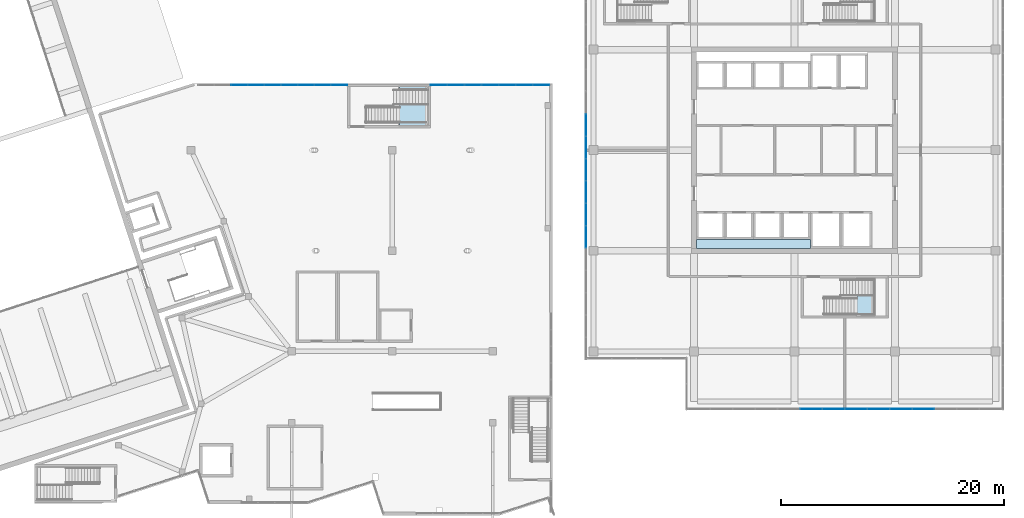
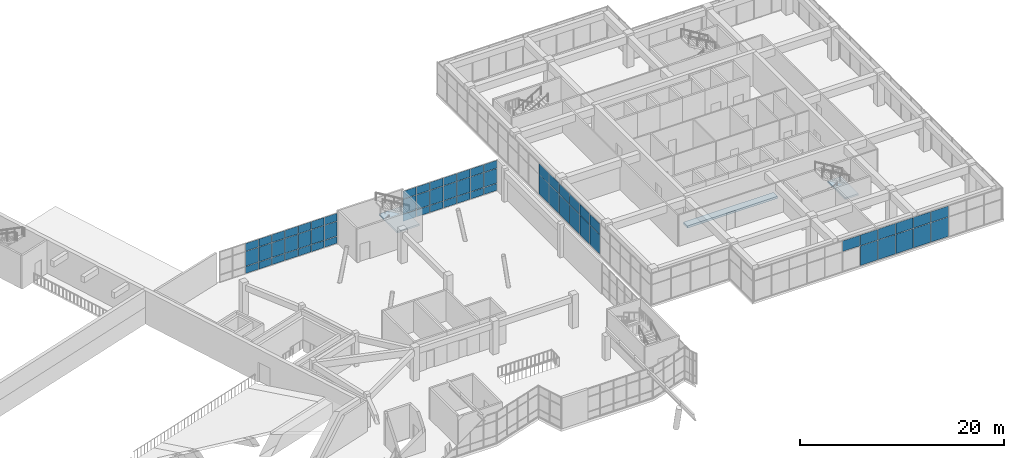
# One storey, part 50 of 65: 65 plates, 3 slabs, 6 elements without a shape of their own.
"""IFC4 building model written with IfcOpenShell, lengths in metres."""

from ifc_helpers import new_model, si_unit, direction, frame, origin, origin_2d, place, context, subcontext, project, spatial, polyline, rectangle, outline, extrude, material, layer, layer_set, type_object, element, aggregate, save


model = new_model("IFC4")

# Units and contexts
model_context = context("Model", 3, precision=1e-05, world=origin(), true_north=direction((0.0, 1.0)))
body_context = subcontext(model_context, "Body", "Model", "MODEL_VIEW")
ifc_project = project(units=[si_unit("LENGTHUNIT", "METRE"), si_unit("AREAUNIT", "SQUARE_METRE"), si_unit("VOLUMEUNIT", "CUBIC_METRE"), si_unit("PLANEANGLEUNIT", "RADIAN"), si_unit("MASSUNIT", "GRAM", prefix="KILO")], contexts=[model_context])

# Site, building, storey
site_placement = place(None, origin())
site = spatial("IfcSite", under=ifc_project, at=site_placement, CompositionType="ELEMENT")
building_placement = place(site_placement, origin())
building = spatial("IfcBuilding", under=site, at=building_placement, Name="Tuart Plaza Theatre", CompositionType="ELEMENT")
storey_placement = place(building_placement, frame((0.0, 0.0, 9.5)))
storey = spatial("IfcBuildingStorey", under=building, at=storey_placement, Name="L02", CompositionType="ELEMENT", Elevation=9.5)

# Curtain wall, plates
ifc_material_1 = material(Name="Aluminium and glass", Category="aluminium")
ifc_layer_1 = layer(ifc_material_1, 0.10009765625)
ifc_layer_set_1 = layer_set([ifc_layer_1], Name="CURTAIN WALL 1500 module")
curtain_wall_type_1 = type_object("IfcCurtainWallType", Name="CURTAIN WALL 1500 module", PredefinedType="NOTDEFINED", material=ifc_layer_set_1)
curtain_wall_1_placement = place(storey_placement, origin())
curtain_wall_1 = element("IfcCurtainWall", 1, at=curtain_wall_1_placement, inside=storey, type_object=curtain_wall_type_1, Name="CW35", PredefinedType="NOTDEFINED")
ifc_material_2 = material(Name="Glass", Category="glass")
ifc_layer_2 = layer(ifc_material_2, 0.028076171875)
ifc_layer_set_2 = layer_set([ifc_layer_2], Name="CURTAIN PANEL double glazed 28")
plate_type = type_object("IfcPlateType", Name="CURTAIN PANEL double glazed 28", PredefinedType="CURTAIN_PANEL", material=ifc_layer_set_2)
plate_1_placement = place(storey_placement, frame((82.31787109375, 79.8369140625, 0.0498046875), z_axis=(0.0, 0.0, 1.0), x_axis=(1.0, 0.0, 0.0)))
plate_1 = element("IfcPlate", 2, at=plate_1_placement, type_object=plate_type, Name="CW35 panel 3.1", PredefinedType="CURTAIN_PANEL", context=body_context, shape_type="SweptSolid", body=[
    extrude(rectangle(XDim=1.439453125, YDim=0.028076171875, at=origin_2d()), origin(), (0.0, 0.0, 1.0), 0.824951171875),
])
plate_2_placement = place(storey_placement, frame((82.31787109375, 79.8369140625, 0.925048828125), z_axis=(0.0, 0.0, 1.0), x_axis=(1.0, 0.0, 0.0)))
plate_2 = element("IfcPlate", 3, at=plate_2_placement, type_object=plate_type, Name="CW35 panel 3.2", PredefinedType="CURTAIN_PANEL", context=body_context, shape_type="SweptSolid", body=[
    extrude(rectangle(XDim=1.439453125, YDim=0.028076171875, at=origin_2d()), origin(), (0.0, 0.0, 1.0), 1.75),
])
plate_3_placement = place(storey_placement, frame((82.31787109375, 79.8369140625, 2.72509765625), z_axis=(0.0, 0.0, 1.0), x_axis=(1.0, 0.0, 0.0)))
plate_3 = element("IfcPlate", 4, at=plate_3_placement, type_object=plate_type, Name="CW35 panel 3.3", PredefinedType="CURTAIN_PANEL", context=body_context, shape_type="SweptSolid", body=[
    extrude(rectangle(XDim=1.439453125, YDim=0.028076171875, at=origin_2d()), origin(), (0.0, 0.0, 1.0), 0.925048828125),
])
plate_4_placement = place(storey_placement, frame((83.807373046875, 79.8369140625, 0.0498046875), z_axis=(0.0, 0.0, 1.0), x_axis=(1.0, 0.0, 0.0)))
plate_4 = element("IfcPlate", 5, at=plate_4_placement, type_object=plate_type, Name="CW35 panel 4.1", PredefinedType="CURTAIN_PANEL", context=body_context, shape_type="SweptSolid", body=[
    extrude(rectangle(XDim=1.439453125, YDim=0.028076171875, at=origin_2d()), origin(), (0.0, 0.0, 1.0), 0.824951171875),
])
plate_5_placement = place(storey_placement, frame((83.807373046875, 79.8369140625, 0.925048828125), z_axis=(0.0, 0.0, 1.0), x_axis=(1.0, 0.0, 0.0)))
plate_5 = element("IfcPlate", 6, at=plate_5_placement, type_object=plate_type, Name="CW35 panel 4.2", PredefinedType="CURTAIN_PANEL", context=body_context, shape_type="SweptSolid", body=[
    extrude(rectangle(XDim=1.439453125, YDim=0.028076171875, at=origin_2d()), origin(), (0.0, 0.0, 1.0), 1.75),
])
plate_6_placement = place(storey_placement, frame((83.807373046875, 79.8369140625, 2.72509765625), z_axis=(0.0, 0.0, 1.0), x_axis=(1.0, 0.0, 0.0)))
plate_6 = element("IfcPlate", 7, at=plate_6_placement, type_object=plate_type, Name="CW35 panel 4.3", PredefinedType="CURTAIN_PANEL", context=body_context, shape_type="SweptSolid", body=[
    extrude(rectangle(XDim=1.439453125, YDim=0.028076171875, at=origin_2d()), origin(), (0.0, 0.0, 1.0), 0.925048828125),
])
plate_7_placement = place(storey_placement, frame((85.297119140625, 79.8369140625, 0.0498046875), z_axis=(0.0, 0.0, 1.0), x_axis=(1.0, 0.0, 0.0)))
plate_7 = element("IfcPlate", 8, at=plate_7_placement, type_object=plate_type, Name="CW35 panel 5.1", PredefinedType="CURTAIN_PANEL", context=body_context, shape_type="SweptSolid", body=[
    extrude(rectangle(XDim=1.439453125, YDim=0.028076171875, at=origin_2d()), origin(), (0.0, 0.0, 1.0), 0.824951171875),
])
plate_8_placement = place(storey_placement, frame((85.297119140625, 79.8369140625, 0.925048828125), z_axis=(0.0, 0.0, 1.0), x_axis=(1.0, 0.0, 0.0)))
plate_8 = element("IfcPlate", 9, at=plate_8_placement, type_object=plate_type, Name="CW35 panel 5.2", PredefinedType="CURTAIN_PANEL", context=body_context, shape_type="SweptSolid", body=[
    extrude(rectangle(XDim=1.439453125, YDim=0.028076171875, at=origin_2d()), origin(), (0.0, 0.0, 1.0), 1.75),
])
plate_9_placement = place(storey_placement, frame((85.297119140625, 79.8369140625, 2.72509765625), z_axis=(0.0, 0.0, 1.0), x_axis=(1.0, 0.0, 0.0)))
plate_9 = element("IfcPlate", 10, at=plate_9_placement, type_object=plate_type, Name="CW35 panel 5.3", PredefinedType="CURTAIN_PANEL", context=body_context, shape_type="SweptSolid", body=[
    extrude(rectangle(XDim=1.439453125, YDim=0.028076171875, at=origin_2d()), origin(), (0.0, 0.0, 1.0), 0.925048828125),
])
plate_10_placement = place(storey_placement, frame((86.78662109375, 79.8369140625, 0.0498046875), z_axis=(0.0, 0.0, 1.0), x_axis=(1.0, 0.0, 0.0)))
plate_10 = element("IfcPlate", 11, at=plate_10_placement, type_object=plate_type, Name="CW35 panel 6.1", PredefinedType="CURTAIN_PANEL", context=body_context, shape_type="SweptSolid", body=[
    extrude(rectangle(XDim=1.439453125, YDim=0.028076171875, at=origin_2d()), origin(), (0.0, 0.0, 1.0), 0.824951171875),
])
plate_11_placement = place(storey_placement, frame((86.78662109375, 79.8369140625, 0.925048828125), z_axis=(0.0, 0.0, 1.0), x_axis=(1.0, 0.0, 0.0)))
plate_11 = element("IfcPlate", 12, at=plate_11_placement, type_object=plate_type, Name="CW35 panel 6.2", PredefinedType="CURTAIN_PANEL", context=body_context, shape_type="SweptSolid", body=[
    extrude(rectangle(XDim=1.439453125, YDim=0.028076171875, at=origin_2d()), origin(), (0.0, 0.0, 1.0), 1.75),
])
plate_12_placement = place(storey_placement, frame((86.78662109375, 79.8369140625, 2.72509765625), z_axis=(0.0, 0.0, 1.0), x_axis=(1.0, 0.0, 0.0)))
plate_12 = element("IfcPlate", 13, at=plate_12_placement, type_object=plate_type, Name="CW35 panel 6.3", PredefinedType="CURTAIN_PANEL", context=body_context, shape_type="SweptSolid", body=[
    extrude(rectangle(XDim=1.439453125, YDim=0.028076171875, at=origin_2d()), origin(), (0.0, 0.0, 1.0), 0.925048828125),
])
plate_13_placement = place(storey_placement, frame((88.276123046875, 79.8369140625, 0.0498046875), z_axis=(0.0, 0.0, 1.0), x_axis=(1.0, 0.0, 0.0)))
plate_13 = element("IfcPlate", 14, at=plate_13_placement, type_object=plate_type, Name="CW35 panel 7.1", PredefinedType="CURTAIN_PANEL", context=body_context, shape_type="SweptSolid", body=[
    extrude(rectangle(XDim=1.439453125, YDim=0.028076171875, at=origin_2d()), origin(), (0.0, 0.0, 1.0), 0.824951171875),
])
plate_14_placement = place(storey_placement, frame((88.276123046875, 79.8369140625, 0.925048828125), z_axis=(0.0, 0.0, 1.0), x_axis=(1.0, 0.0, 0.0)))
plate_14 = element("IfcPlate", 15, at=plate_14_placement, type_object=plate_type, Name="CW35 panel 7.2", PredefinedType="CURTAIN_PANEL", context=body_context, shape_type="SweptSolid", body=[
    extrude(rectangle(XDim=1.439453125, YDim=0.028076171875, at=origin_2d()), origin(), (0.0, 0.0, 1.0), 1.75),
])
plate_15_placement = place(storey_placement, frame((88.276123046875, 79.8369140625, 2.72509765625), z_axis=(0.0, 0.0, 1.0), x_axis=(1.0, 0.0, 0.0)))
plate_15 = element("IfcPlate", 16, at=plate_15_placement, type_object=plate_type, Name="CW35 panel 7.3", PredefinedType="CURTAIN_PANEL", context=body_context, shape_type="SweptSolid", body=[
    extrude(rectangle(XDim=1.439453125, YDim=0.028076171875, at=origin_2d()), origin(), (0.0, 0.0, 1.0), 0.925048828125),
])
plate_16_placement = place(storey_placement, frame((89.765625, 79.8369140625, 0.0498046875), z_axis=(0.0, 0.0, 1.0), x_axis=(1.0, 0.0, 0.0)))
plate_16 = element("IfcPlate", 17, at=plate_16_placement, type_object=plate_type, Name="CW35 panel 8.1", PredefinedType="CURTAIN_PANEL", context=body_context, shape_type="SweptSolid", body=[
    extrude(rectangle(XDim=1.439453125, YDim=0.028076171875, at=origin_2d()), origin(), (0.0, 0.0, 1.0), 0.824951171875),
])
plate_17_placement = place(storey_placement, frame((89.765625, 79.8369140625, 0.925048828125), z_axis=(0.0, 0.0, 1.0), x_axis=(1.0, 0.0, 0.0)))
plate_17 = element("IfcPlate", 18, at=plate_17_placement, type_object=plate_type, Name="CW35 panel 8.2", PredefinedType="CURTAIN_PANEL", context=body_context, shape_type="SweptSolid", body=[
    extrude(rectangle(XDim=1.439453125, YDim=0.028076171875, at=origin_2d()), origin(), (0.0, 0.0, 1.0), 1.75),
])
plate_18_placement = place(storey_placement, frame((89.765625, 79.8369140625, 2.72509765625), z_axis=(0.0, 0.0, 1.0), x_axis=(1.0, 0.0, 0.0)))
plate_18 = element("IfcPlate", 19, at=plate_18_placement, type_object=plate_type, Name="CW35 panel 8.3", PredefinedType="CURTAIN_PANEL", context=body_context, shape_type="SweptSolid", body=[
    extrude(rectangle(XDim=1.439453125, YDim=0.028076171875, at=origin_2d()), origin(), (0.0, 0.0, 1.0), 0.925048828125),
])
plate_19_placement = place(storey_placement, frame((91.24267578125, 79.8369140625, 0.0498046875), z_axis=(0.0, 0.0, 1.0), x_axis=(1.0, 0.0, 0.0)))
plate_19 = element("IfcPlate", 20, at=plate_19_placement, type_object=plate_type, Name="CW35 panel 9.1", PredefinedType="CURTAIN_PANEL", context=body_context, shape_type="SweptSolid", body=[
    extrude(rectangle(XDim=1.41455078125, YDim=0.028076171875, at=origin_2d()), origin(), (0.0, 0.0, 1.0), 0.824951171875),
])
plate_20_placement = place(storey_placement, frame((91.24267578125, 79.8369140625, 0.925048828125), z_axis=(0.0, 0.0, 1.0), x_axis=(1.0, 0.0, 0.0)))
plate_20 = element("IfcPlate", 21, at=plate_20_placement, type_object=plate_type, Name="CW35 panel 9.2", PredefinedType="CURTAIN_PANEL", context=body_context, shape_type="SweptSolid", body=[
    extrude(rectangle(XDim=1.41455078125, YDim=0.028076171875, at=origin_2d()), origin(), (0.0, 0.0, 1.0), 1.75),
])
plate_21_placement = place(storey_placement, frame((91.24267578125, 79.8369140625, 2.72509765625), z_axis=(0.0, 0.0, 1.0), x_axis=(1.0, 0.0, 0.0)))
plate_21 = element("IfcPlate", 22, at=plate_21_placement, type_object=plate_type, Name="CW35 panel 9.3", PredefinedType="CURTAIN_PANEL", context=body_context, shape_type="SweptSolid", body=[
    extrude(rectangle(XDim=1.41455078125, YDim=0.028076171875, at=origin_2d()), origin(), (0.0, 0.0, 1.0), 0.925048828125),
])
aggregate(curtain_wall_1, [plate_1, plate_2, plate_3, plate_4, plate_5, plate_6, plate_7, plate_8, plate_9, plate_10, plate_11, plate_12, plate_13, plate_14, plate_15, plate_16, plate_17, plate_18, plate_19, plate_20, plate_21])

curtain_wall_2_placement = place(storey_placement, origin())
curtain_wall_2 = element("IfcCurtainWall", 23, at=curtain_wall_2_placement, inside=storey, type_object=curtain_wall_type_1, Name="CW36", PredefinedType="NOTDEFINED")
plate_22_placement = place(storey_placement, frame((100.177734375, 79.8369140625, 0.0498046875), z_axis=(0.0, 0.0, 1.0), x_axis=(1.0, 0.0, 0.0)))
plate_22 = element("IfcPlate", 24, at=plate_22_placement, type_object=plate_type, Name="CW36 panel 1.1", PredefinedType="CURTAIN_PANEL", context=body_context, shape_type="SweptSolid", body=[
    extrude(rectangle(XDim=1.455322265625, YDim=0.028076171875, at=origin_2d()), origin(), (0.0, 0.0, 1.0), 0.824951171875),
])
plate_23_placement = place(storey_placement, frame((100.177734375, 79.8369140625, 0.925048828125), z_axis=(0.0, 0.0, 1.0), x_axis=(1.0, 0.0, 0.0)))
plate_23 = element("IfcPlate", 25, at=plate_23_placement, type_object=plate_type, Name="CW36 panel 1.2", PredefinedType="CURTAIN_PANEL", context=body_context, shape_type="SweptSolid", body=[
    extrude(rectangle(XDim=1.455322265625, YDim=0.028076171875, at=origin_2d()), origin(), (0.0, 0.0, 1.0), 1.75),
])
plate_24_placement = place(storey_placement, frame((100.177734375, 79.8369140625, 2.72509765625), z_axis=(0.0, 0.0, 1.0), x_axis=(1.0, 0.0, 0.0)))
plate_24 = element("IfcPlate", 26, at=plate_24_placement, type_object=plate_type, Name="CW36 panel 1.3", PredefinedType="CURTAIN_PANEL", context=body_context, shape_type="SweptSolid", body=[
    extrude(rectangle(XDim=1.455322265625, YDim=0.028076171875, at=origin_2d()), origin(), (0.0, 0.0, 1.0), 0.925048828125),
])
plate_25_placement = place(storey_placement, frame((101.695556640625, 79.8369140625, 0.0498046875), z_axis=(0.0, 0.0, 1.0), x_axis=(1.0, 0.0, 0.0)))
plate_25 = element("IfcPlate", 27, at=plate_25_placement, type_object=plate_type, Name="CW36 panel 2.1", PredefinedType="CURTAIN_PANEL", context=body_context, shape_type="SweptSolid", body=[
    extrude(rectangle(XDim=1.48046875, YDim=0.028076171875, at=origin_2d()), origin(), (0.0, 0.0, 1.0), 0.824951171875),
])
plate_26_placement = place(storey_placement, frame((101.695556640625, 79.8369140625, 0.925048828125), z_axis=(0.0, 0.0, 1.0), x_axis=(1.0, 0.0, 0.0)))
plate_26 = element("IfcPlate", 28, at=plate_26_placement, type_object=plate_type, Name="CW36 panel 2.2", PredefinedType="CURTAIN_PANEL", context=body_context, shape_type="SweptSolid", body=[
    extrude(rectangle(XDim=1.48046875, YDim=0.028076171875, at=origin_2d()), origin(), (0.0, 0.0, 1.0), 1.75),
])
plate_27_placement = place(storey_placement, frame((101.695556640625, 79.8369140625, 2.72509765625), z_axis=(0.0, 0.0, 1.0), x_axis=(1.0, 0.0, 0.0)))
plate_27 = element("IfcPlate", 29, at=plate_27_placement, type_object=plate_type, Name="CW36 panel 2.3", PredefinedType="CURTAIN_PANEL", context=body_context, shape_type="SweptSolid", body=[
    extrude(rectangle(XDim=1.48046875, YDim=0.028076171875, at=origin_2d()), origin(), (0.0, 0.0, 1.0), 0.925048828125),
])
plate_28_placement = place(storey_placement, frame((103.22607421875, 79.8369140625, 0.0498046875), z_axis=(0.0, 0.0, 1.0), x_axis=(1.0, 0.0, 0.0)))
plate_28 = element("IfcPlate", 30, at=plate_28_placement, type_object=plate_type, Name="CW36 panel 3.1", PredefinedType="CURTAIN_PANEL", context=body_context, shape_type="SweptSolid", body=[
    extrude(rectangle(XDim=1.48046875, YDim=0.028076171875, at=origin_2d()), origin(), (0.0, 0.0, 1.0), 0.824951171875),
])
plate_29_placement = place(storey_placement, frame((103.22607421875, 79.8369140625, 0.925048828125), z_axis=(0.0, 0.0, 1.0), x_axis=(1.0, 0.0, 0.0)))
plate_29 = element("IfcPlate", 31, at=plate_29_placement, type_object=plate_type, Name="CW36 panel 3.2", PredefinedType="CURTAIN_PANEL", context=body_context, shape_type="SweptSolid", body=[
    extrude(rectangle(XDim=1.48046875, YDim=0.028076171875, at=origin_2d()), origin(), (0.0, 0.0, 1.0), 1.75),
])
plate_30_placement = place(storey_placement, frame((103.22607421875, 79.8369140625, 2.72509765625), z_axis=(0.0, 0.0, 1.0), x_axis=(1.0, 0.0, 0.0)))
plate_30 = element("IfcPlate", 32, at=plate_30_placement, type_object=plate_type, Name="CW36 panel 3.3", PredefinedType="CURTAIN_PANEL", context=body_context, shape_type="SweptSolid", body=[
    extrude(rectangle(XDim=1.48046875, YDim=0.028076171875, at=origin_2d()), origin(), (0.0, 0.0, 1.0), 0.925048828125),
])
plate_31_placement = place(storey_placement, frame((104.756591796875, 79.8369140625, 0.0498046875), z_axis=(0.0, 0.0, 1.0), x_axis=(1.0, 0.0, 0.0)))
plate_31 = element("IfcPlate", 33, at=plate_31_placement, type_object=plate_type, Name="CW36 panel 4.1", PredefinedType="CURTAIN_PANEL", context=body_context, shape_type="SweptSolid", body=[
    extrude(rectangle(XDim=1.48046875, YDim=0.028076171875, at=origin_2d()), origin(), (0.0, 0.0, 1.0), 0.824951171875),
])
plate_32_placement = place(storey_placement, frame((104.756591796875, 79.8369140625, 0.925048828125), z_axis=(0.0, 0.0, 1.0), x_axis=(1.0, 0.0, 0.0)))
plate_32 = element("IfcPlate", 34, at=plate_32_placement, type_object=plate_type, Name="CW36 panel 4.2", PredefinedType="CURTAIN_PANEL", context=body_context, shape_type="SweptSolid", body=[
    extrude(rectangle(XDim=1.48046875, YDim=0.028076171875, at=origin_2d()), origin(), (0.0, 0.0, 1.0), 1.75),
])
plate_33_placement = place(storey_placement, frame((104.756591796875, 79.8369140625, 2.72509765625), z_axis=(0.0, 0.0, 1.0), x_axis=(1.0, 0.0, 0.0)))
plate_33 = element("IfcPlate", 35, at=plate_33_placement, type_object=plate_type, Name="CW36 panel 4.3", PredefinedType="CURTAIN_PANEL", context=body_context, shape_type="SweptSolid", body=[
    extrude(rectangle(XDim=1.48046875, YDim=0.028076171875, at=origin_2d()), origin(), (0.0, 0.0, 1.0), 0.925048828125),
])
plate_34_placement = place(storey_placement, frame((106.286865234375, 79.8369140625, 0.0498046875), z_axis=(0.0, 0.0, 1.0), x_axis=(1.0, 0.0, 0.0)))
plate_34 = element("IfcPlate", 36, at=plate_34_placement, type_object=plate_type, Name="CW36 panel 5.1", PredefinedType="CURTAIN_PANEL", context=body_context, shape_type="SweptSolid", body=[
    extrude(rectangle(XDim=1.48046875, YDim=0.028076171875, at=origin_2d()), origin(), (0.0, 0.0, 1.0), 0.824951171875),
])
plate_35_placement = place(storey_placement, frame((106.286865234375, 79.8369140625, 0.925048828125), z_axis=(0.0, 0.0, 1.0), x_axis=(1.0, 0.0, 0.0)))
plate_35 = element("IfcPlate", 37, at=plate_35_placement, type_object=plate_type, Name="CW36 panel 5.2", PredefinedType="CURTAIN_PANEL", context=body_context, shape_type="SweptSolid", body=[
    extrude(rectangle(XDim=1.48046875, YDim=0.028076171875, at=origin_2d()), origin(), (0.0, 0.0, 1.0), 1.75),
])
plate_36_placement = place(storey_placement, frame((106.286865234375, 79.8369140625, 2.72509765625), z_axis=(0.0, 0.0, 1.0), x_axis=(1.0, 0.0, 0.0)))
plate_36 = element("IfcPlate", 38, at=plate_36_placement, type_object=plate_type, Name="CW36 panel 5.3", PredefinedType="CURTAIN_PANEL", context=body_context, shape_type="SweptSolid", body=[
    extrude(rectangle(XDim=1.48046875, YDim=0.028076171875, at=origin_2d()), origin(), (0.0, 0.0, 1.0), 0.925048828125),
])
plate_37_placement = place(storey_placement, frame((107.8173828125, 79.8369140625, 0.0498046875), z_axis=(0.0, 0.0, 1.0), x_axis=(1.0, 0.0, 0.0)))
plate_37 = element("IfcPlate", 39, at=plate_37_placement, type_object=plate_type, Name="CW36 panel 6.1", PredefinedType="CURTAIN_PANEL", context=body_context, shape_type="SweptSolid", body=[
    extrude(rectangle(XDim=1.48046875, YDim=0.028076171875, at=origin_2d()), origin(), (0.0, 0.0, 1.0), 0.824951171875),
])
plate_38_placement = place(storey_placement, frame((107.8173828125, 79.8369140625, 0.925048828125), z_axis=(0.0, 0.0, 1.0), x_axis=(1.0, 0.0, 0.0)))
plate_38 = element("IfcPlate", 40, at=plate_38_placement, type_object=plate_type, Name="CW36 panel 6.2", PredefinedType="CURTAIN_PANEL", context=body_context, shape_type="SweptSolid", body=[
    extrude(rectangle(XDim=1.48046875, YDim=0.028076171875, at=origin_2d()), origin(), (0.0, 0.0, 1.0), 1.75),
])
plate_39_placement = place(storey_placement, frame((107.8173828125, 79.8369140625, 2.72509765625), z_axis=(0.0, 0.0, 1.0), x_axis=(1.0, 0.0, 0.0)))
plate_39 = element("IfcPlate", 41, at=plate_39_placement, type_object=plate_type, Name="CW36 panel 6.3", PredefinedType="CURTAIN_PANEL", context=body_context, shape_type="SweptSolid", body=[
    extrude(rectangle(XDim=1.48046875, YDim=0.028076171875, at=origin_2d()), origin(), (0.0, 0.0, 1.0), 0.925048828125),
])
plate_40_placement = place(storey_placement, frame((109.335205078125, 79.8369140625, 0.0498046875), z_axis=(0.0, 0.0, 1.0), x_axis=(1.0, 0.0, 0.0)))
plate_40 = element("IfcPlate", 42, at=plate_40_placement, type_object=plate_type, Name="CW36 panel 7.1", PredefinedType="CURTAIN_PANEL", context=body_context, shape_type="SweptSolid", body=[
    extrude(rectangle(XDim=1.455322265625, YDim=0.028076171875, at=origin_2d()), origin(), (0.0, 0.0, 1.0), 0.824951171875),
])
plate_41_placement = place(storey_placement, frame((109.335205078125, 79.8369140625, 0.925048828125), z_axis=(0.0, 0.0, 1.0), x_axis=(1.0, 0.0, 0.0)))
plate_41 = element("IfcPlate", 43, at=plate_41_placement, type_object=plate_type, Name="CW36 panel 7.2", PredefinedType="CURTAIN_PANEL", context=body_context, shape_type="SweptSolid", body=[
    extrude(rectangle(XDim=1.455322265625, YDim=0.028076171875, at=origin_2d()), origin(), (0.0, 0.0, 1.0), 1.75),
])
plate_42_placement = place(storey_placement, frame((109.335205078125, 79.8369140625, 2.72509765625), z_axis=(0.0, 0.0, 1.0), x_axis=(1.0, 0.0, 0.0)))
plate_42 = element("IfcPlate", 44, at=plate_42_placement, type_object=plate_type, Name="CW36 panel 7.3", PredefinedType="CURTAIN_PANEL", context=body_context, shape_type="SweptSolid", body=[
    extrude(rectangle(XDim=1.455322265625, YDim=0.028076171875, at=origin_2d()), origin(), (0.0, 0.0, 1.0), 0.925048828125),
])
aggregate(curtain_wall_2, [plate_22, plate_23, plate_24, plate_25, plate_26, plate_27, plate_28, plate_29, plate_30, plate_31, plate_32, plate_33, plate_34, plate_35, plate_36, plate_37, plate_38, plate_39, plate_40, plate_41, plate_42])

ifc_material_3 = material(Name="Aluminium and glass", Category="aluminium")
ifc_layer_3 = layer(ifc_material_3, 0.10009765625)
ifc_layer_set_3 = layer_set([ifc_layer_3], Name="CURTAIN WALL 2000 module")
curtain_wall_type_2 = type_object("IfcCurtainWallType", Name="CURTAIN WALL 2000 module", PredefinedType="NOTDEFINED", material=ifc_layer_set_3)
curtain_wall_3_placement = place(storey_placement, origin())
curtain_wall_3 = element("IfcCurtainWall", 45, at=curtain_wall_3_placement, inside=storey, type_object=curtain_wall_type_2, Name="CW68", PredefinedType="NOTDEFINED")
plate_43_placement = place(storey_placement, frame((133.4892578125, 50.85009765625, 2.425048828125), z_axis=(0.0, 0.0, 1.0), x_axis=(1.0, 0.0, 0.0)))
plate_43 = element("IfcPlate", 46, at=plate_43_placement, type_object=plate_type, Name="CW68 panel 6.2", PredefinedType="CURTAIN_PANEL", context=body_context, shape_type="SweptSolid", body=[
    extrude(rectangle(XDim=1.95703125, YDim=0.028076171875, at=origin_2d()), origin(), (0.0, 0.0, 1.0), 1.27490234375),
])
plate_44_placement = place(storey_placement, frame((135.496337890625, 50.85009765625, 0.0498046875), z_axis=(0.0, 0.0, 1.0), x_axis=(1.0, 0.0, 0.0)))
plate_44 = element("IfcPlate", 47, at=plate_44_placement, type_object=plate_type, Name="CW68 panel 7.1", PredefinedType="CURTAIN_PANEL", context=body_context, shape_type="SweptSolid", body=[
    extrude(rectangle(XDim=1.95703125, YDim=0.028076171875, at=origin_2d()), origin(), (0.0, 0.0, 1.0), 2.324951171875),
])
plate_45_placement = place(storey_placement, frame((135.496337890625, 50.85009765625, 2.425048828125), z_axis=(0.0, 0.0, 1.0), x_axis=(1.0, 0.0, 0.0)))
plate_45 = element("IfcPlate", 48, at=plate_45_placement, type_object=plate_type, Name="CW68 panel 7.2", PredefinedType="CURTAIN_PANEL", context=body_context, shape_type="SweptSolid", body=[
    extrude(rectangle(XDim=1.95703125, YDim=0.028076171875, at=origin_2d()), origin(), (0.0, 0.0, 1.0), 1.27490234375),
])
plate_46_placement = place(storey_placement, frame((137.503662109375, 50.85009765625, 0.0498046875), z_axis=(0.0, 0.0, 1.0), x_axis=(1.0, 0.0, 0.0)))
plate_46 = element("IfcPlate", 49, at=plate_46_placement, type_object=plate_type, Name="CW68 panel 8.1", PredefinedType="CURTAIN_PANEL", context=body_context, shape_type="SweptSolid", body=[
    extrude(rectangle(XDim=1.95703125, YDim=0.028076171875, at=origin_2d()), origin(), (0.0, 0.0, 1.0), 2.324951171875),
])
plate_47_placement = place(storey_placement, frame((137.503662109375, 50.85009765625, 2.425048828125), z_axis=(0.0, 0.0, 1.0), x_axis=(1.0, 0.0, 0.0)))
plate_47 = element("IfcPlate", 50, at=plate_47_placement, type_object=plate_type, Name="CW68 panel 8.2", PredefinedType="CURTAIN_PANEL", context=body_context, shape_type="SweptSolid", body=[
    extrude(rectangle(XDim=1.95703125, YDim=0.028076171875, at=origin_2d()), origin(), (0.0, 0.0, 1.0), 1.27490234375),
])
plate_48_placement = place(storey_placement, frame((139.5107421875, 50.85009765625, 0.0498046875), z_axis=(0.0, 0.0, 1.0), x_axis=(1.0, 0.0, 0.0)))
plate_48 = element("IfcPlate", 51, at=plate_48_placement, type_object=plate_type, Name="CW68 panel 9.1", PredefinedType="CURTAIN_PANEL", context=body_context, shape_type="SweptSolid", body=[
    extrude(rectangle(XDim=1.95703125, YDim=0.028076171875, at=origin_2d()), origin(), (0.0, 0.0, 1.0), 2.324951171875),
])
plate_49_placement = place(storey_placement, frame((139.5107421875, 50.85009765625, 2.425048828125), z_axis=(0.0, 0.0, 1.0), x_axis=(1.0, 0.0, 0.0)))
plate_49 = element("IfcPlate", 52, at=plate_49_placement, type_object=plate_type, Name="CW68 panel 9.2", PredefinedType="CURTAIN_PANEL", context=body_context, shape_type="SweptSolid", body=[
    extrude(rectangle(XDim=1.95703125, YDim=0.028076171875, at=origin_2d()), origin(), (0.0, 0.0, 1.0), 1.27490234375),
])
plate_50_placement = place(storey_placement, frame((141.517822265625, 50.85009765625, 0.0498046875), z_axis=(0.0, 0.0, 1.0), x_axis=(1.0, 0.0, 0.0)))
plate_50 = element("IfcPlate", 53, at=plate_50_placement, type_object=plate_type, Name="CW68 panel 10.1", PredefinedType="CURTAIN_PANEL", context=body_context, shape_type="SweptSolid", body=[
    extrude(rectangle(XDim=1.95703125, YDim=0.028076171875, at=origin_2d()), origin(), (0.0, 0.0, 1.0), 2.324951171875),
])
plate_51_placement = place(storey_placement, frame((141.517822265625, 50.85009765625, 2.425048828125), z_axis=(0.0, 0.0, 1.0), x_axis=(1.0, 0.0, 0.0)))
plate_51 = element("IfcPlate", 54, at=plate_51_placement, type_object=plate_type, Name="CW68 panel 10.2", PredefinedType="CURTAIN_PANEL", context=body_context, shape_type="SweptSolid", body=[
    extrude(rectangle(XDim=1.95703125, YDim=0.028076171875, at=origin_2d()), origin(), (0.0, 0.0, 1.0), 1.27490234375),
])
plate_52_placement = place(storey_placement, frame((143.52490234375, 50.85009765625, 0.0498046875), z_axis=(0.0, 0.0, 1.0), x_axis=(1.0, 0.0, 0.0)))
plate_52 = element("IfcPlate", 55, at=plate_52_placement, type_object=plate_type, Name="CW68 panel 11.1", PredefinedType="CURTAIN_PANEL", context=body_context, shape_type="SweptSolid", body=[
    extrude(rectangle(XDim=1.95703125, YDim=0.028076171875, at=origin_2d()), origin(), (0.0, 0.0, 1.0), 2.324951171875),
])
plate_53_placement = place(storey_placement, frame((143.52490234375, 50.85009765625, 2.425048828125), z_axis=(0.0, 0.0, 1.0), x_axis=(1.0, 0.0, 0.0)))
plate_53 = element("IfcPlate", 56, at=plate_53_placement, type_object=plate_type, Name="CW68 panel 11.2", PredefinedType="CURTAIN_PANEL", context=body_context, shape_type="SweptSolid", body=[
    extrude(rectangle(XDim=1.95703125, YDim=0.028076171875, at=origin_2d()), origin(), (0.0, 0.0, 1.0), 1.27490234375),
])
aggregate(curtain_wall_3, [plate_43, plate_44, plate_45, plate_46, plate_47, plate_48, plate_49, plate_50, plate_51, plate_52, plate_53])

curtain_wall_4_placement = place(storey_placement, origin())
curtain_wall_4 = element("IfcCurtainWall", 57, at=curtain_wall_4_placement, inside=storey, type_object=curtain_wall_type_2, Name="CW73", PredefinedType="NOTDEFINED")
plate_54_placement = place(storey_placement, frame((113.35009765625, 76.25, 0.0498046875), z_axis=(0.0, 0.0, 1.0), x_axis=(0.0, -1.0, 0.0)))
plate_54 = element("IfcPlate", 58, at=plate_54_placement, type_object=plate_type, Name="CW73 panel 11.1", PredefinedType="CURTAIN_PANEL", context=body_context, shape_type="SweptSolid", body=[
    extrude(rectangle(XDim=1.949951171875, YDim=0.028076171875, at=origin_2d()), origin(), (0.0, 0.0, 1.0), 2.324951171875),
])
plate_55_placement = place(storey_placement, frame((113.35009765625, 76.25, 2.425048828125), z_axis=(0.0, 0.0, 1.0), x_axis=(0.0, -1.0, 0.0)))
plate_55 = element("IfcPlate", 59, at=plate_55_placement, type_object=plate_type, Name="CW73 panel 11.2", PredefinedType="CURTAIN_PANEL", context=body_context, shape_type="SweptSolid", body=[
    extrude(rectangle(XDim=1.949951171875, YDim=0.028076171875, at=origin_2d()), origin(), (0.0, 0.0, 1.0), 1.27490234375),
])
plate_56_placement = place(storey_placement, frame((113.35009765625, 74.25, 0.0498046875), z_axis=(0.0, 0.0, 1.0), x_axis=(0.0, -1.0, 0.0)))
plate_56 = element("IfcPlate", 60, at=plate_56_placement, type_object=plate_type, Name="CW73 panel 12.1", PredefinedType="CURTAIN_PANEL", context=body_context, shape_type="SweptSolid", body=[
    extrude(rectangle(XDim=1.949951171875, YDim=0.028076171875, at=origin_2d()), origin(), (0.0, 0.0, 1.0), 2.324951171875),
])
plate_57_placement = place(storey_placement, frame((113.35009765625, 74.25, 2.425048828125), z_axis=(0.0, 0.0, 1.0), x_axis=(0.0, -1.0, 0.0)))
plate_57 = element("IfcPlate", 61, at=plate_57_placement, type_object=plate_type, Name="CW73 panel 12.2", PredefinedType="CURTAIN_PANEL", context=body_context, shape_type="SweptSolid", body=[
    extrude(rectangle(XDim=1.949951171875, YDim=0.028076171875, at=origin_2d()), origin(), (0.0, 0.0, 1.0), 1.27490234375),
])
plate_58_placement = place(storey_placement, frame((113.35009765625, 72.25, 0.0498046875), z_axis=(0.0, 0.0, 1.0), x_axis=(0.0, -1.0, 0.0)))
plate_58 = element("IfcPlate", 62, at=plate_58_placement, type_object=plate_type, Name="CW73 panel 13.1", PredefinedType="CURTAIN_PANEL", context=body_context, shape_type="SweptSolid", body=[
    extrude(rectangle(XDim=1.949951171875, YDim=0.028076171875, at=origin_2d()), origin(), (0.0, 0.0, 1.0), 2.324951171875),
])
plate_59_placement = place(storey_placement, frame((113.35009765625, 72.25, 2.425048828125), z_axis=(0.0, 0.0, 1.0), x_axis=(0.0, -1.0, 0.0)))
plate_59 = element("IfcPlate", 63, at=plate_59_placement, type_object=plate_type, Name="CW73 panel 13.2", PredefinedType="CURTAIN_PANEL", context=body_context, shape_type="SweptSolid", body=[
    extrude(rectangle(XDim=1.949951171875, YDim=0.028076171875, at=origin_2d()), origin(), (0.0, 0.0, 1.0), 1.27490234375),
])
plate_60_placement = place(storey_placement, frame((113.35009765625, 70.25, 0.0498046875), z_axis=(0.0, 0.0, 1.0), x_axis=(0.0, -1.0, 0.0)))
plate_60 = element("IfcPlate", 64, at=plate_60_placement, type_object=plate_type, Name="CW73 panel 14.1", PredefinedType="CURTAIN_PANEL", context=body_context, shape_type="SweptSolid", body=[
    extrude(rectangle(XDim=1.949951171875, YDim=0.028076171875, at=origin_2d()), origin(), (0.0, 0.0, 1.0), 2.324951171875),
])
plate_61_placement = place(storey_placement, frame((113.35009765625, 70.25, 2.425048828125), z_axis=(0.0, 0.0, 1.0), x_axis=(0.0, -1.0, 0.0)))
plate_61 = element("IfcPlate", 65, at=plate_61_placement, type_object=plate_type, Name="CW73 panel 14.2", PredefinedType="CURTAIN_PANEL", context=body_context, shape_type="SweptSolid", body=[
    extrude(rectangle(XDim=1.949951171875, YDim=0.028076171875, at=origin_2d()), origin(), (0.0, 0.0, 1.0), 1.27490234375),
])
plate_62_placement = place(storey_placement, frame((113.35009765625, 68.25, 0.0498046875), z_axis=(0.0, 0.0, 1.0), x_axis=(0.0, -1.0, 0.0)))
plate_62 = element("IfcPlate", 66, at=plate_62_placement, type_object=plate_type, Name="CW73 panel 15.1", PredefinedType="CURTAIN_PANEL", context=body_context, shape_type="SweptSolid", body=[
    extrude(rectangle(XDim=1.949951171875, YDim=0.028076171875, at=origin_2d()), origin(), (0.0, 0.0, 1.0), 2.324951171875),
])
plate_63_placement = place(storey_placement, frame((113.35009765625, 68.25, 2.425048828125), z_axis=(0.0, 0.0, 1.0), x_axis=(0.0, -1.0, 0.0)))
plate_63 = element("IfcPlate", 67, at=plate_63_placement, type_object=plate_type, Name="CW73 panel 15.2", PredefinedType="CURTAIN_PANEL", context=body_context, shape_type="SweptSolid", body=[
    extrude(rectangle(XDim=1.949951171875, YDim=0.028076171875, at=origin_2d()), origin(), (0.0, 0.0, 1.0), 1.27490234375),
])
plate_64_placement = place(storey_placement, frame((113.35009765625, 66.25, 0.0498046875), z_axis=(0.0, 0.0, 1.0), x_axis=(0.0, -1.0, 0.0)))
plate_64 = element("IfcPlate", 68, at=plate_64_placement, type_object=plate_type, Name="CW73 panel 16.1", PredefinedType="CURTAIN_PANEL", context=body_context, shape_type="SweptSolid", body=[
    extrude(rectangle(XDim=1.949951171875, YDim=0.028076171875, at=origin_2d()), origin(), (0.0, 0.0, 1.0), 2.324951171875),
])
plate_65_placement = place(storey_placement, frame((113.35009765625, 66.25, 2.425048828125), z_axis=(0.0, 0.0, 1.0), x_axis=(0.0, -1.0, 0.0)))
plate_65 = element("IfcPlate", 69, at=plate_65_placement, type_object=plate_type, Name="CW73 panel 16.2", PredefinedType="CURTAIN_PANEL", context=body_context, shape_type="SweptSolid", body=[
    extrude(rectangle(XDim=1.949951171875, YDim=0.028076171875, at=origin_2d()), origin(), (0.0, 0.0, 1.0), 1.27490234375),
])
aggregate(curtain_wall_4, [plate_54, plate_55, plate_56, plate_57, plate_58, plate_59, plate_60, plate_61, plate_62, plate_63, plate_64, plate_65])

# Slab
ifc_material_4 = material(Name="Concrete N40 (40 MPa)", Category="concrete")
ifc_layer_4 = layer(ifc_material_4, 0.25)
ifc_layer_set_4 = layer_set([ifc_layer_4], Name="SLAB Floor 250 Concrete N40 (40 MPa)")
slab_type_1 = type_object("IfcSlabType", Name="SLAB Floor 250 Concrete N40 (40 MPa)", PredefinedType="FLOOR", material=ifc_layer_set_4)
slab_1_placement = place(storey_placement, frame((0.0, 0.0, -0.25)))
element("IfcSlab", 70, at=slab_1_placement, inside=storey, type_object=slab_type_1, Name="S84", PredefinedType="FLOOR", context=body_context, shape_type="SweptSolid", body=[
    extrude(outline(polyline([(123.22509765625, 66.02490234375), (123.22509765625, 65.22509765625), (133.425048828125, 65.22509765625), (133.425048828125, 66.02490234375), (123.22509765625, 66.02490234375)])), origin(), (0.0, 0.0, 1.0), 0.25),
])

# Stair, slab
ifc_material_5 = material(Name="Concrete N40 (40 MPa)", Category="concrete")
stair_type_1 = type_object("IfcStairType", Name="STAIR half turn 1400", PredefinedType="HALF_TURN_STAIR", material=ifc_material_5)
stair_1_placement = place(storey_placement, origin())
stair_1 = element("IfcStair", 71, at=stair_1_placement, inside=storey, type_object=stair_type_1, Name="SB-6", PredefinedType="HALF_TURN_STAIR")
ifc_material_6 = material(Name="Concrete N40 (40 MPa)", Category="concrete")
ifc_layer_5 = layer(ifc_material_6, 0.199951171875)
ifc_layer_set_5 = layer_set([ifc_layer_5], Name="STAIR LANDING 200")
slab_type_2 = type_object("IfcSlabType", Name="STAIR LANDING 200", PredefinedType="LANDING", material=ifc_layer_set_5)
slab_2_placement = place(storey_placement, frame((0.0, 0.0, 1.800048828125)))
slab_2 = element("IfcSlab", 72, at=slab_2_placement, type_object=slab_type_2, Name="SB-6 landing 1", PredefinedType="LANDING", context=body_context, shape_type="SweptSolid", body=[
    extrude(outline(polyline([(96.659912109375, 76.201904296875), (99.2099609375, 76.201904296875), (99.2099609375, 79.697998046875), (96.659912109375, 79.697998046875), (96.659912109375, 76.201904296875)])), origin(), (0.0, 0.0, 1.0), 0.199951171875),
])
aggregate(stair_1, [slab_2])

ifc_material_7 = material(Name="Concrete N40 (40 MPa)", Category="concrete")
stair_type_2 = type_object("IfcStairType", Name="STAIR half turn 1500", PredefinedType="HALF_TURN_STAIR", material=ifc_material_7)
stair_2_placement = place(storey_placement, origin())
stair_2 = element("IfcStair", 73, at=stair_2_placement, inside=storey, type_object=stair_type_2, Name="SC-2", PredefinedType="HALF_TURN_STAIR")
slab_3_placement = place(storey_placement, frame((0.0, 0.0, 1.800048828125)))
slab_3 = element("IfcSlab", 74, at=slab_3_placement, type_object=slab_type_2, Name="SC-2 landing 1", PredefinedType="LANDING", context=body_context, shape_type="SweptSolid", body=[
    extrude(outline(polyline([(137.60009765625, 59.177001953125), (139.1298828125, 59.177001953125), (139.1298828125, 62.572998046875), (137.60009765625, 62.572998046875), (137.60009765625, 59.177001953125)])), origin(), (0.0, 0.0, 1.0), 0.199951171875),
])
aggregate(stair_2, [slab_3])

save(model, "model.ifc")
